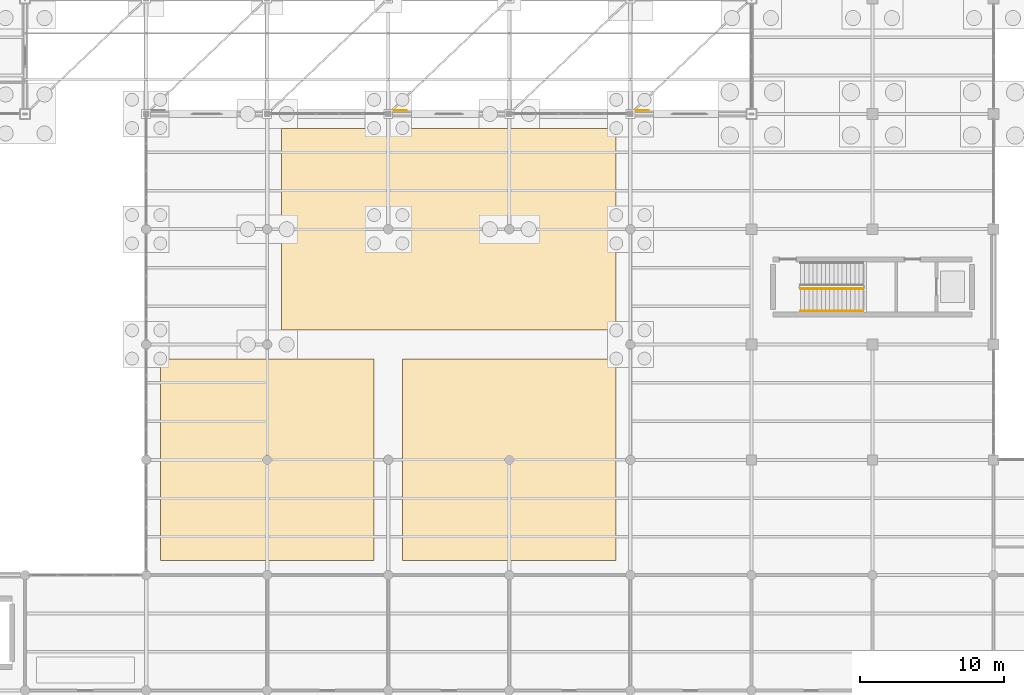
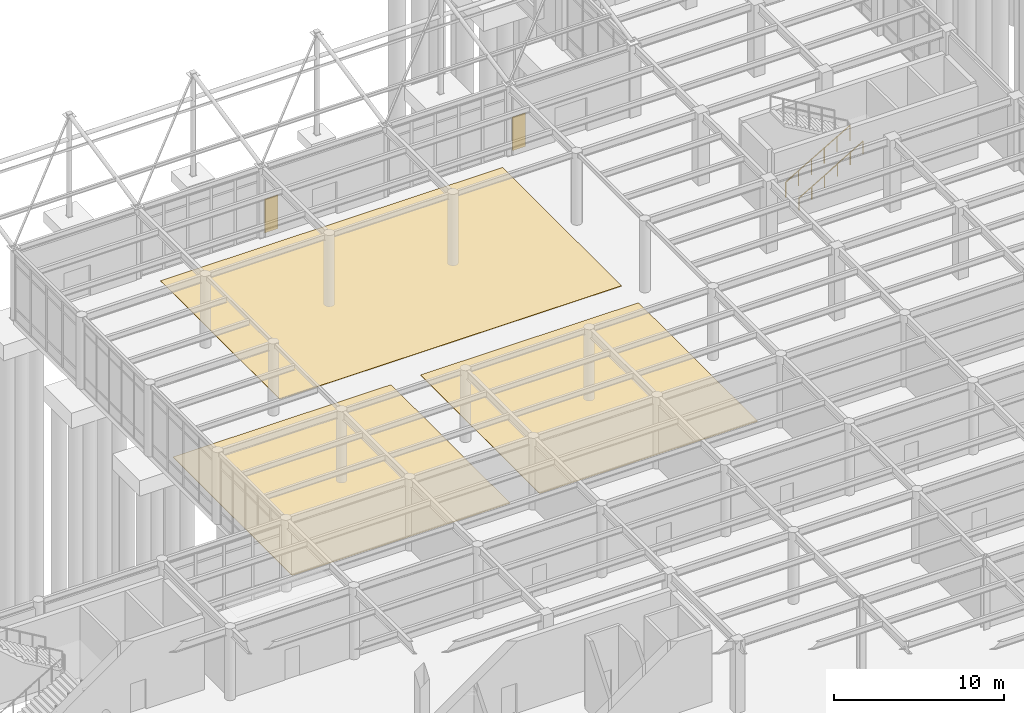
# One storey, part 132 of 138: 5 coverings, 2 railings.
"""IFC4 building model written with IfcOpenShell, lengths in metres."""

from ifc_helpers import new_model, si_unit, direction, frame, origin, origin_2d, place, context, subcontext, project, spatial, polyline, rectangle, circle, outline, extrude, material, layer, layer_set, type_object, element, save


model = new_model("IFC4")

# Units and contexts
model_context = context("Model", 3, precision=1e-05, world=origin(), true_north=direction((0.0, 1.0)))
body_context = subcontext(model_context, "Body", "Model", "MODEL_VIEW")
ifc_project = project(units=[si_unit("LENGTHUNIT", "METRE"), si_unit("AREAUNIT", "SQUARE_METRE"), si_unit("VOLUMEUNIT", "CUBIC_METRE"), si_unit("PLANEANGLEUNIT", "RADIAN"), si_unit("MASSUNIT", "GRAM", prefix="KILO")], contexts=[model_context])

# Site, building, storey
site_placement = place(None, origin())
site = spatial("IfcSite", under=ifc_project, at=site_placement, CompositionType="ELEMENT")
building_placement = place(site_placement, origin())
building = spatial("IfcBuilding", under=site, at=building_placement, Name="Kranzveld Transit Interchange", CompositionType="ELEMENT")
storey_placement = place(building_placement, origin())
storey = spatial("IfcBuildingStorey", under=building, at=storey_placement, Name="L00", CompositionType="ELEMENT", Elevation=0.0)

# Coverings
ifc_material_1 = material(Name="Pretoria red-purple clinker clay face brick, 35 MPa", Category="masonry")
ifc_layer_1 = layer(ifc_material_1, 0.030029296875)
ifc_layer_set_1 = layer_set([ifc_layer_1], Name="Pretoria red-purple clinker clay face brick, 35 MPa")
covering_type_1 = type_object("IfcCoveringType", Name="Heavy-Duty Transit Quarry Tile Flooring 30", PredefinedType="FLOORING", material=ifc_layer_set_1)
covering_1_placement = place(storey_placement, origin())
element("IfcCovering", 1, at=covering_1_placement, inside=storey, type_object=covering_type_1, Name="Main Concourse Quarry Tile Zone West", PredefinedType="FLOORING", context=body_context, shape_type="SweptSolid", body=[
    extrude(outline(polyline([(59.800048828125, 57.0), (74.60009765625, 57.0), (74.60009765625, 71.0), (59.800048828125, 71.0), (59.800048828125, 57.0)])), origin(), (0.0, 0.0, 1.0), 0.030029296875),
])
covering_2_placement = place(storey_placement, origin())
element("IfcCovering", 2, at=covering_2_placement, inside=storey, type_object=covering_type_1, Name="Main Concourse Quarry Tile Zone East", PredefinedType="FLOORING", context=body_context, shape_type="SweptSolid", body=[
    extrude(outline(polyline([(76.60009765625, 57.0), (91.39990234375, 57.0), (91.39990234375, 71.0), (76.60009765625, 71.0), (76.60009765625, 57.0)])), origin(), (0.0, 0.0, 1.0), 0.030029296875),
])
covering_3_placement = place(storey_placement, origin())
element("IfcCovering", 3, at=covering_3_placement, inside=storey, type_object=covering_type_1, Name="North Concourse Tile Zone", PredefinedType="FLOORING", context=body_context, shape_type="SweptSolid", body=[
    extrude(outline(polyline([(68.199951171875, 73.0), (91.39990234375, 73.0), (91.39990234375, 87.0), (68.199951171875, 87.0), (68.199951171875, 73.0)])), origin(), (0.0, 0.0, 1.0), 0.030029296875),
])
ifc_material_2 = material(Name="Ochre Pretoria sandstone cladding, 45 MPa", Category="masonry")
ifc_layer_2 = layer(ifc_material_2, 0.044921875)
ifc_layer_set_2 = layer_set([ifc_layer_2], Name="Ochre Pretoria sandstone cladding, 45 MPa")
covering_type_2 = type_object("IfcCoveringType", Name="Ochre Pretoria Sandstone Pier Cladding 45", PredefinedType="CLADDING", material=ifc_layer_set_2)
for number, where, z_axis, x_axis, name in (
    (4, (76.427734375, 88.2275390625, 0.0), (0.0, 0.0, 1.0), (1.0, 0.0, 0.0), "L00 Sandstone Plinth Cladding 03"),
    (5, (93.227783203125, 88.242431640625, 0.0), (0.0, 0.0, 1.0), (1.0, 0.0, 0.0), "L00 Sandstone Plinth Cladding 04"),
):
    element("IfcCovering", number, at=place(storey_placement, frame(where, z_axis=z_axis, x_axis=x_axis)), inside=storey, type_object=covering_type_2, Name=name, PredefinedType="CLADDING", context=body_context, shape_type="SweptSolid", body=[
        extrude(rectangle(XDim=0.89990234375, YDim=0.044921875, at=origin_2d()), origin(), (0.0, 0.0, 1.0), 2.39990234375),
    ])

# Railings
ifc_material_3 = material(Name="Steel S355JR", Category="steel")
railing_type_1 = type_object("IfcRailingType", Name="Stair & Ramp Handrail Steel 900", PredefinedType="HANDRAIL", material=ifc_material_3)
railing_1_placement = place(storey_placement, frame((104.199951171875, 74.320068359375, 0.169921875)))
element("IfcRailing", 6, at=railing_1_placement, inside=storey, type_object=railing_type_1, Name="L00 ST-V4A stair handrail 1", PredefinedType="HANDRAIL", context=body_context, shape_type="SweptSolid", body=[
    extrude(circle(Radius=0.02392578125, at=origin_2d()), frame((0.0, 0.0, 0.8759765625), z_axis=(0.862698698498, 0.0, 0.505718257145), x_axis=(0.0, 1.0, 0.0)), (0.0, 0.0, 1.0), 5.04248046875),
    extrude(circle(Radius=0.02099609375, at=origin_2d()), origin(), (0.0, 0.0, 1.0), 0.849853515625),
    extrude(circle(Radius=0.02099609375, at=origin_2d()), frame((0.8701171875, 0.0, 0.510009765625)), (0.0, 0.0, 1.0), 0.849853515625),
    extrude(circle(Radius=0.02099609375, at=origin_2d()), frame((1.739990234375, 0.0, 1.02001953125)), (0.0, 0.0, 1.0), 0.849853515625),
    extrude(circle(Radius=0.02099609375, at=origin_2d()), frame((2.610107421875, 0.0, 1.530029296875)), (0.0, 0.0, 1.0), 0.849853515625),
    extrude(circle(Radius=0.02099609375, at=origin_2d()), frame((3.47998046875, 0.0, 2.0400390625)), (0.0, 0.0, 1.0), 0.849853515625),
    extrude(circle(Radius=0.02099609375, at=origin_2d()), frame((4.35009765625, 0.0, 2.550048828125)), (0.0, 0.0, 1.0), 0.849853515625),
])
ifc_material_4 = material(Name="Steel S355JR", Category="steel")
railing_type_2 = type_object("IfcRailingType", Name="Stair Well Guardrail Steel 1100", PredefinedType="GUARDRAIL", material=ifc_material_4)
railing_2_placement = place(storey_placement, frame((104.199951171875, 75.8701171875, 0.169921875)))
element("IfcRailing", 7, at=railing_2_placement, inside=storey, type_object=railing_type_2, Name="L00 ST-V4A stair guard 1", PredefinedType="GUARDRAIL", context=body_context, shape_type="SweptSolid", body=[
    extrude(circle(Radius=0.02392578125, at=origin_2d()), frame((0.0, 0.0, 1.076171875), z_axis=(0.862698698498, 0.0, 0.505718257145), x_axis=(0.0, 1.0, 0.0)), (0.0, 0.0, 1.0), 5.04248046875),
    extrude(circle(Radius=0.02099609375, at=origin_2d()), origin(), (0.0, 0.0, 1.0), 1.050048828125),
    extrude(circle(Radius=0.02099609375, at=origin_2d()), frame((0.8701171875, 0.0, 0.510009765625)), (0.0, 0.0, 1.0), 1.050048828125),
    extrude(circle(Radius=0.02099609375, at=origin_2d()), frame((1.739990234375, 0.0, 1.02001953125)), (0.0, 0.0, 1.0), 1.050048828125),
    extrude(circle(Radius=0.02099609375, at=origin_2d()), frame((2.610107421875, 0.0, 1.530029296875)), (0.0, 0.0, 1.0), 1.050048828125),
    extrude(circle(Radius=0.02099609375, at=origin_2d()), frame((3.47998046875, 0.0, 2.0400390625)), (0.0, 0.0, 1.0), 1.050048828125),
    extrude(circle(Radius=0.02099609375, at=origin_2d()), frame((4.35009765625, 0.0, 2.550048828125)), (0.0, 0.0, 1.0), 1.050048828125),
])

save(model, "model.ifc")
